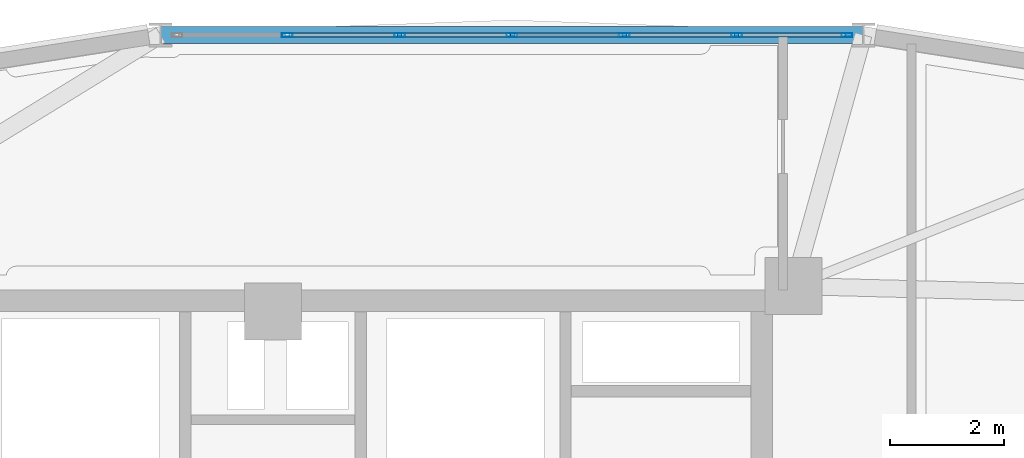
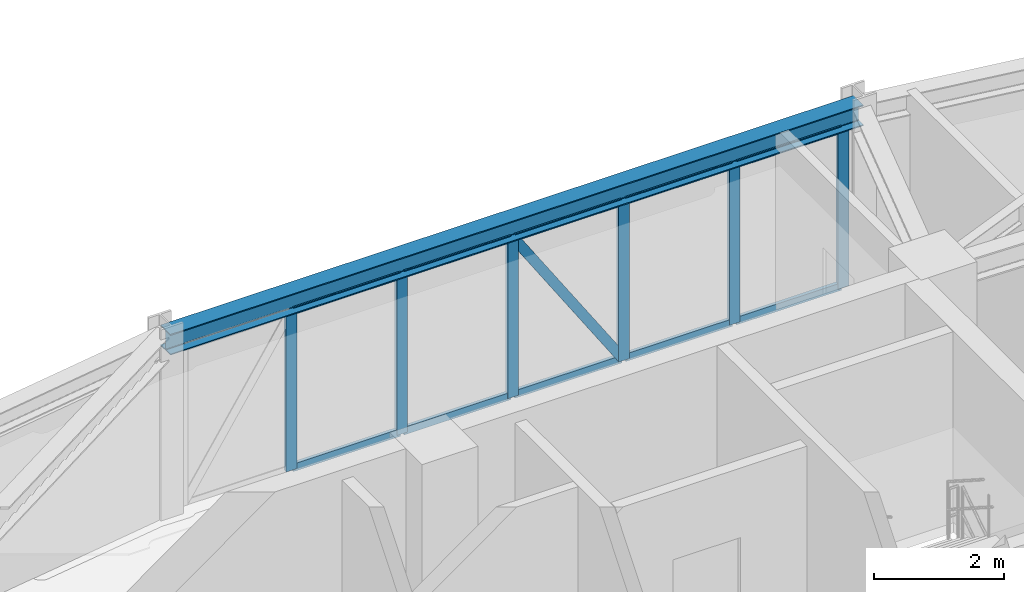
# One storey, part 10 of 19: 17 members, 1 beam, 1 element without a shape of its own.
"""IFC4 building model written with IfcOpenShell, lengths in metres."""

from ifc_helpers import new_model, si_unit, derived_unit, direction, frame, origin, origin_2d, place, context, subcontext, project, spatial, hollow_rectangle, i_section, extrude, source, transform, mapped, material, layer, layer_set, material_profile, profile_set, type_object, element, aggregate, save


model = new_model("IFC4")

# Units and contexts
model_context = context("Model", 3, precision=1e-05, world=origin(), true_north=direction((0.0, 1.0)))
body_context = subcontext(model_context, "Body", "Model", "MODEL_VIEW")
ifc_project = project(units=[si_unit("LENGTHUNIT", "METRE"), si_unit("AREAUNIT", "SQUARE_METRE"), si_unit("VOLUMEUNIT", "CUBIC_METRE"), si_unit("PLANEANGLEUNIT", "RADIAN"), si_unit("MASSUNIT", "GRAM", prefix="KILO"), derived_unit("THERMALTRANSMITTANCEUNIT", [(si_unit("POWERUNIT", "WATT"), 1), (si_unit("LENGTHUNIT", "METRE"), -2), (si_unit("THERMODYNAMICTEMPERATUREUNIT", "KELVIN"), -1)])], contexts=[model_context])

# Site, building, storey
site_placement = place(None, origin())
site = spatial("IfcSite", under=ifc_project, at=site_placement, CompositionType="ELEMENT")
building_placement = place(site_placement, origin())
building = spatial("IfcBuilding", under=site, at=building_placement, Name="Korsvarv Bourse and Concert Hall", CompositionType="ELEMENT")
storey_placement = place(building_placement, frame((0.0, 0.0, 205.800048828125)))
storey = spatial("IfcBuildingStorey", under=building, at=storey_placement, Name="L53", CompositionType="ELEMENT", Elevation=205.800048828125)

# Beam
ifc_material_1 = material(Name="Steel S355", Category="steel")
ifc_material_profile_1 = material_profile(ifc_material_1, i_section(OverallWidth=0.300048828125, OverallDepth=0.389892578125, WebThickness=0.010986328125, FlangeThickness=0.01904296875, FilletRadius=0.02099609375, at=origin_2d()), Name="HEA 400")
ifc_profile_set_1 = profile_set([ifc_material_profile_1], Name="Steel S355")
beam_type = type_object("IfcBeamType", Name="BM-HEA400", PredefinedType="BEAM", material=ifc_profile_set_1)
shared_shape_1 = source(origin(), body_context, "Body", "SweptSolid", [
    extrude(i_section(OverallWidth=0.300048828125, OverallDepth=0.389892578125, WebThickness=0.010986328125, FlangeThickness=0.01904296875, FilletRadius=0.02099609375, at=origin_2d()), origin(), (0.0, 0.0, 1.0), 12.353515625),
])
beam_placement = place(storey_placement, frame((46.376708984375, 51.66162109375, 3.21484375), z_axis=(-1.0, 0.0, 0.0), x_axis=(0.0, -1.0, 0.0)))
element("IfcBeam", 1, at=beam_placement, inside=storey, type_object=beam_type, Name="L53 beam B-11", PredefinedType="BEAM", context=body_context, shape_type="MappedRepresentation", body=[
    mapped(shared_shape_1, transform((0.0, 0.0, 0.0), scale=1.0)),
])

# Curtain wall, members
ifc_material_2 = material(Name="Anodised aluminium and triple low-E glazing", Category="glass")
ifc_layer = layer(ifc_material_2, 0.199951171875)
ifc_layer_set = layer_set([ifc_layer], Name="Anodised aluminium and triple low-E glazing")
curtain_wall_type = type_object("IfcCurtainWallType", Name="CW-SYS-3", PredefinedType="NOTDEFINED", material=ifc_layer_set)
curtain_wall_placement = place(storey_placement, origin())
curtain_wall = element("IfcCurtainWall", 2, at=curtain_wall_placement, inside=storey, type_object=curtain_wall_type, Name="L53 CW3 curtain wall CW-L53-F03", PredefinedType="NOTDEFINED")
ifc_material_3 = material(Name="Extruded aluminium EN AW-6063 T66", Category="aluminium")
ifc_material_profile_2 = material_profile(ifc_material_3, hollow_rectangle(XDim=0.070068359375, YDim=0.18994140625, WallThickness=0.0048828125, at=origin_2d()), Name="ALU-M 70x190")
ifc_profile_set_2 = profile_set([ifc_material_profile_2], Name="Extruded aluminium EN AW-6063 T66")
member_type_1 = type_object("IfcMemberType", Name="CWM-190", PredefinedType="MULLION", material=ifc_profile_set_2)
shared_shape_2 = source(origin(), body_context, "Body", "SweptSolid", [
    extrude(hollow_rectangle(XDim=0.070068359375, YDim=0.18994140625, WallThickness=0.0048828125, at=origin_2d()), origin(), (0.0, 0.0, 1.0), 3.02001953125),
])
member_1_placement = place(storey_placement, frame((46.088623046875, 51.66162109375, 0.0), z_axis=(0.0, 0.0, 1.0), x_axis=(0.0, -1.0, 0.0)))
member_1 = element("IfcMember", 3, at=member_1_placement, type_object=member_type_1, Name="CW3 mullion 1", PredefinedType="MULLION", context=body_context, shape_type="MappedRepresentation", body=[
    mapped(shared_shape_2, transform((0.0, 0.0, 0.0), scale=1.0)),
])
member_2_placement = place(storey_placement, frame((44.149169921875, 51.66162109375, 0.0), z_axis=(0.0, 0.0, 1.0), x_axis=(0.0, -1.0, 0.0)))
member_2 = element("IfcMember", 4, at=member_2_placement, type_object=member_type_1, Name="CW3 mullion 2", PredefinedType="MULLION", context=body_context, shape_type="MappedRepresentation", body=[
    mapped(shared_shape_2, transform((0.0, 0.0, 0.0), scale=1.0)),
])
member_3_placement = place(storey_placement, frame((42.174560546875, 51.66162109375, 0.0), z_axis=(0.0, 0.0, 1.0), x_axis=(0.0, -1.0, 0.0)))
member_3 = element("IfcMember", 5, at=member_3_placement, type_object=member_type_1, Name="CW3 mullion 3", PredefinedType="MULLION", context=body_context, shape_type="MappedRepresentation", body=[
    mapped(shared_shape_2, transform((0.0, 0.0, 0.0), scale=1.0)),
])
member_4_placement = place(storey_placement, frame((40.199951171875, 51.66162109375, 0.0), z_axis=(0.0, 0.0, 1.0), x_axis=(0.0, -1.0, 0.0)))
member_4 = element("IfcMember", 6, at=member_4_placement, type_object=member_type_1, Name="CW3 mullion 4", PredefinedType="MULLION", context=body_context, shape_type="MappedRepresentation", body=[
    mapped(shared_shape_2, transform((0.0, 0.0, 0.0), scale=1.0)),
])
member_5_placement = place(storey_placement, frame((38.225341796875, 51.66162109375, 0.0), z_axis=(0.0, 0.0, 1.0), x_axis=(0.0, -1.0, 0.0)))
member_5 = element("IfcMember", 7, at=member_5_placement, type_object=member_type_1, Name="CW3 mullion 5", PredefinedType="MULLION", context=body_context, shape_type="MappedRepresentation", body=[
    mapped(shared_shape_2, transform((0.0, 0.0, 0.0), scale=1.0)),
])
member_6_placement = place(storey_placement, frame((36.2509765625, 51.66162109375, 0.0), z_axis=(0.0, 0.0, 1.0), x_axis=(0.0, -1.0, 0.0)))
member_6 = element("IfcMember", 8, at=member_6_placement, type_object=member_type_1, Name="CW3 mullion 6", PredefinedType="MULLION", context=body_context, shape_type="MappedRepresentation", body=[
    mapped(shared_shape_2, transform((0.0, 0.0, 0.0), scale=1.0)),
])
ifc_material_profile_3 = material_profile(ifc_material_3, hollow_rectangle(XDim=0.06494140625, YDim=0.139892578125, WallThickness=0.00390625, at=origin_2d()), Name="ALU-T 65x140")
ifc_profile_set_3 = profile_set([ifc_material_profile_3], Name="Extruded aluminium EN AW-6063 T66")
member_type_2 = type_object("IfcMemberType", Name="CWT-140", PredefinedType="USERDEFINED", material=ifc_profile_set_3)
shared_shape_3 = source(origin(), body_context, "Body", "SweptSolid", [
    extrude(hollow_rectangle(XDim=0.06494140625, YDim=0.139892578125, WallThickness=0.00390625, at=origin_2d()), origin(), (0.0, 0.0, 1.0), 1.86962890625),
])
member_7_placement = place(storey_placement, frame((46.0537109375, 51.66162109375, 0.032470703125), z_axis=(-1.0, 0.0, 0.0), x_axis=(0.0, -1.0, 0.0)))
member_7 = element("IfcMember", 9, at=member_7_placement, type_object=member_type_2, Name="CW3 transom 1.1", ObjectType="TRANSOM", PredefinedType="USERDEFINED", context=body_context, shape_type="MappedRepresentation", body=[
    mapped(shared_shape_3, transform((0.0, 0.0, 0.0), scale=1.0)),
])
member_8_placement = place(storey_placement, frame((46.0537109375, 51.66162109375, 2.987548828125), z_axis=(-1.0, 0.0, 0.0), x_axis=(0.0, -1.0, 0.0)))
member_8 = element("IfcMember", 10, at=member_8_placement, type_object=member_type_2, Name="CW3 transom 1.2", ObjectType="TRANSOM", PredefinedType="USERDEFINED", context=body_context, shape_type="MappedRepresentation", body=[
    mapped(shared_shape_3, transform((0.0, 0.0, 0.0), scale=1.0)),
])
shared_shape_4 = source(origin(), body_context, "Body", "SweptSolid", [
    extrude(hollow_rectangle(XDim=0.06494140625, YDim=0.139892578125, WallThickness=0.00390625, at=origin_2d()), origin(), (0.0, 0.0, 1.0), 1.904541015625),
])
member_9_placement = place(storey_placement, frame((44.114013671875, 51.66162109375, 0.032470703125), z_axis=(-1.0, 0.0, 0.0), x_axis=(0.0, -1.0, 0.0)))
member_9 = element("IfcMember", 11, at=member_9_placement, type_object=member_type_2, Name="CW3 transom 2.1", ObjectType="TRANSOM", PredefinedType="USERDEFINED", context=body_context, shape_type="MappedRepresentation", body=[
    mapped(shared_shape_4, transform((0.0, 0.0, 0.0), scale=1.0)),
])
member_10_placement = place(storey_placement, frame((44.114013671875, 51.66162109375, 2.987548828125), z_axis=(-1.0, 0.0, 0.0), x_axis=(0.0, -1.0, 0.0)))
member_10 = element("IfcMember", 12, at=member_10_placement, type_object=member_type_2, Name="CW3 transom 2.2", ObjectType="TRANSOM", PredefinedType="USERDEFINED", context=body_context, shape_type="MappedRepresentation", body=[
    mapped(shared_shape_4, transform((0.0, 0.0, 0.0), scale=1.0)),
])
member_11_placement = place(storey_placement, frame((42.1396484375, 51.66162109375, 0.032470703125), z_axis=(-1.0, 0.0, 0.0), x_axis=(0.0, -1.0, 0.0)))
member_11 = element("IfcMember", 13, at=member_11_placement, type_object=member_type_2, Name="CW3 transom 3.1", ObjectType="TRANSOM", PredefinedType="USERDEFINED", context=body_context, shape_type="MappedRepresentation", body=[
    mapped(shared_shape_4, transform((0.0, 0.0, 0.0), scale=1.0)),
])
member_12_placement = place(storey_placement, frame((42.1396484375, 51.66162109375, 2.987548828125), z_axis=(-1.0, 0.0, 0.0), x_axis=(0.0, -1.0, 0.0)))
member_12 = element("IfcMember", 14, at=member_12_placement, type_object=member_type_2, Name="CW3 transom 3.2", ObjectType="TRANSOM", PredefinedType="USERDEFINED", context=body_context, shape_type="MappedRepresentation", body=[
    mapped(shared_shape_4, transform((0.0, 0.0, 0.0), scale=1.0)),
])
member_13_placement = place(storey_placement, frame((40.1650390625, 51.66162109375, 0.032470703125), z_axis=(-1.0, 0.0, 0.0), x_axis=(0.0, -1.0, 0.0)))
member_13 = element("IfcMember", 15, at=member_13_placement, type_object=member_type_2, Name="CW3 transom 4.1", ObjectType="TRANSOM", PredefinedType="USERDEFINED", context=body_context, shape_type="MappedRepresentation", body=[
    mapped(shared_shape_4, transform((0.0, 0.0, 0.0), scale=1.0)),
])
member_14_placement = place(storey_placement, frame((40.1650390625, 51.66162109375, 2.987548828125), z_axis=(-1.0, 0.0, 0.0), x_axis=(0.0, -1.0, 0.0)))
member_14 = element("IfcMember", 16, at=member_14_placement, type_object=member_type_2, Name="CW3 transom 4.2", ObjectType="TRANSOM", PredefinedType="USERDEFINED", context=body_context, shape_type="MappedRepresentation", body=[
    mapped(shared_shape_4, transform((0.0, 0.0, 0.0), scale=1.0)),
])
member_15_placement = place(storey_placement, frame((38.1904296875, 51.66162109375, 0.032470703125), z_axis=(-1.0, 0.0, 0.0), x_axis=(0.0, -1.0, 0.0)))
member_15 = element("IfcMember", 17, at=member_15_placement, type_object=member_type_2, Name="CW3 transom 5.1", ObjectType="TRANSOM", PredefinedType="USERDEFINED", context=body_context, shape_type="MappedRepresentation", body=[
    mapped(shared_shape_4, transform((0.0, 0.0, 0.0), scale=1.0)),
])
member_16_placement = place(storey_placement, frame((38.1904296875, 51.66162109375, 2.987548828125), z_axis=(-1.0, 0.0, 0.0), x_axis=(0.0, -1.0, 0.0)))
member_16 = element("IfcMember", 18, at=member_16_placement, type_object=member_type_2, Name="CW3 transom 5.2", ObjectType="TRANSOM", PredefinedType="USERDEFINED", context=body_context, shape_type="MappedRepresentation", body=[
    mapped(shared_shape_4, transform((0.0, 0.0, 0.0), scale=1.0)),
])
ifc_material_profile_4 = material_profile(ifc_material_3, hollow_rectangle(XDim=0.06494140625, YDim=0.1650390625, WallThickness=0.0048828125, at=origin_2d()), Name="ALU-M 65x165")
ifc_profile_set_4 = profile_set([ifc_material_profile_4], Name="Extruded aluminium EN AW-6063 T66")
member_type_3 = type_object("IfcMemberType", Name="CWM-165", PredefinedType="MULLION", material=ifc_profile_set_4)
shared_shape_5 = source(origin(), body_context, "Body", "SweptSolid", [
    extrude(hollow_rectangle(XDim=0.06494140625, YDim=0.1650390625, WallThickness=0.0048828125, at=origin_2d()), origin(), (0.0, 0.0, 1.0), 3.4609375),
])
member_17_placement = place(storey_placement, frame((42.1396484375, 51.66162109375, 0.06494140625), z_axis=(-0.550280949483, 0.0, 0.834979566598), x_axis=(0.0, -1.0, 0.0)))
member_17 = element("IfcMember", 19, at=member_17_placement, type_object=member_type_3, Name="CW3 diagonal mullion 3", PredefinedType="MULLION", context=body_context, shape_type="MappedRepresentation", body=[
    mapped(shared_shape_5, transform((0.0, 0.0, 0.0), scale=1.0)),
])
aggregate(curtain_wall, [member_1, member_2, member_3, member_4, member_5, member_6, member_7, member_8, member_9, member_10, member_11, member_12, member_17, member_13, member_14, member_15, member_16])

save(model, "model.ifc")
